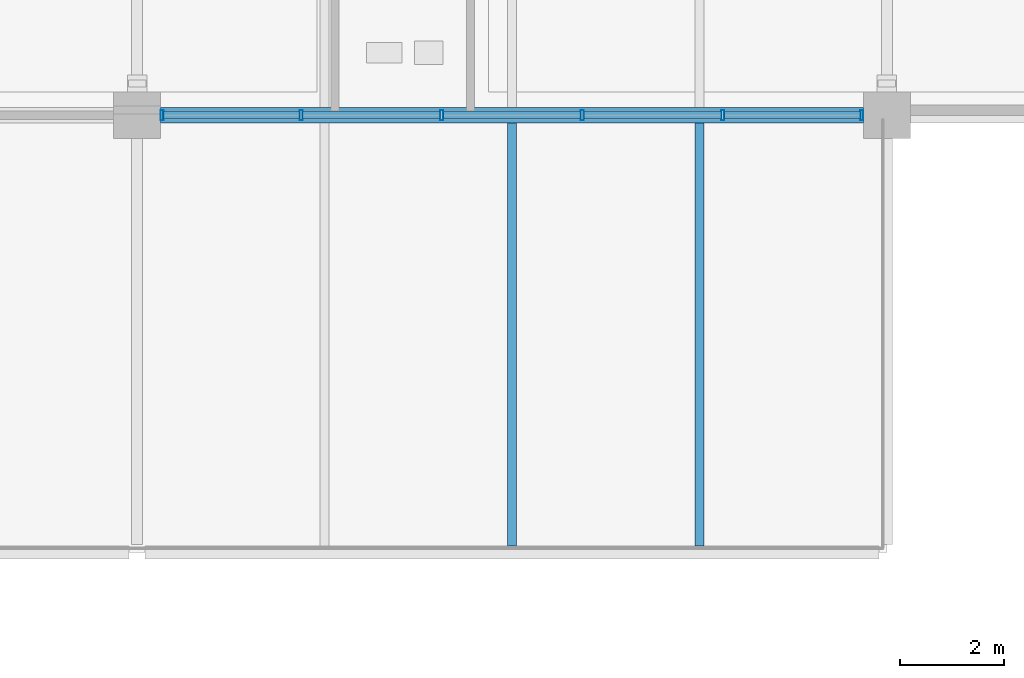
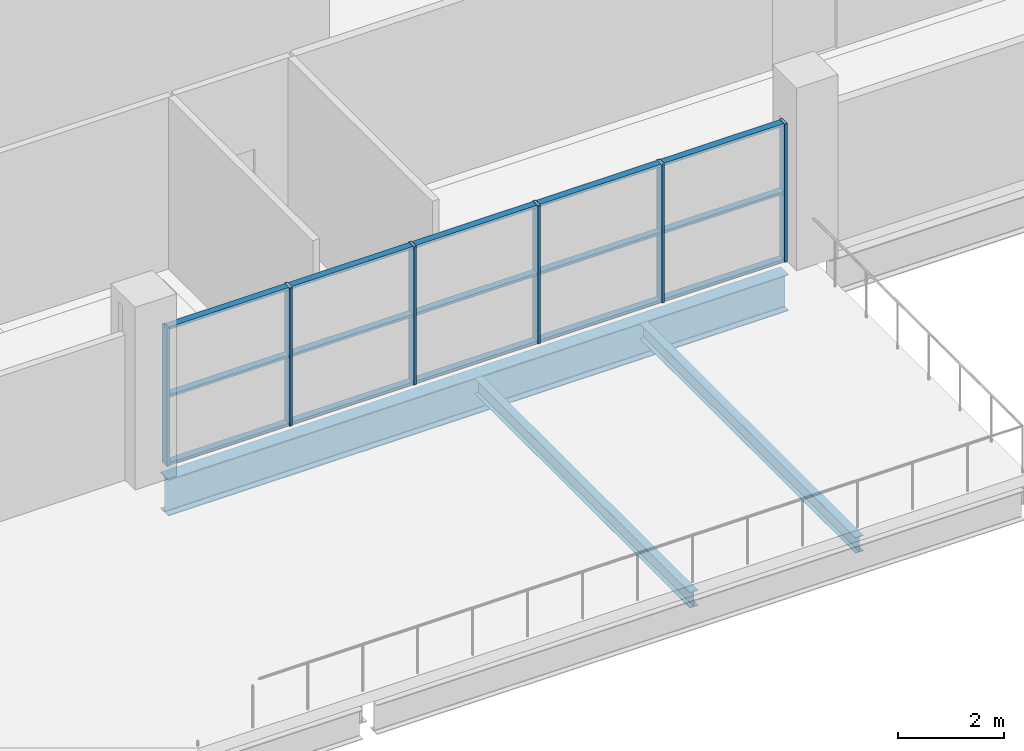
# One storey, part 46 of 93: 21 members, 3 beams, 1 element without a shape of its own.
"""IFC4 building model written with IfcOpenShell, lengths in metres."""

from ifc_helpers import new_model, si_unit, direction, frame, origin, origin_2d, place, context, subcontext, project, spatial, hollow_rectangle, i_section, extrude, material, material_profile, profile_set, type_object, element, aggregate, save


model = new_model("IFC4")

# Units and contexts
model_context = context("Model", 3, precision=1e-05, world=origin(), true_north=direction((0.0, 1.0)))
body_context = subcontext(model_context, "Body", "Model", "MODEL_VIEW")
ifc_project = project(units=[si_unit("LENGTHUNIT", "METRE"), si_unit("AREAUNIT", "SQUARE_METRE"), si_unit("VOLUMEUNIT", "CUBIC_METRE"), si_unit("PLANEANGLEUNIT", "RADIAN"), si_unit("MASSUNIT", "GRAM", prefix="KILO"), si_unit("THERMODYNAMICTEMPERATUREUNIT", "KELVIN")], contexts=[model_context])

# Site, building, storey
site_placement = place(None, origin())
site = spatial("IfcSite", under=ifc_project, at=site_placement, CompositionType="ELEMENT")
building_placement = place(site_placement, origin())
building = spatial("IfcBuilding", under=site, at=building_placement, Name="Nduvali Passage Aquatics Centre", CompositionType="ELEMENT")
storey_placement = place(building_placement, frame((0.0, 0.0, 9.0)))
storey = spatial("IfcBuildingStorey", under=building, at=storey_placement, Name="L02", CompositionType="ELEMENT", Elevation=9.0)

# Curtain wall, members
ifc_material_1 = material(Name="Aluminium EN AW-6063 T6", Category="aluminium")
curtain_wall_type = type_object("IfcCurtainWallType", Name="ENV-CW-CLER", PredefinedType="NOTDEFINED", material=ifc_material_1)
curtain_wall_placement = place(storey_placement, origin())
curtain_wall = element("IfcCurtainWall", 1, at=curtain_wall_placement, inside=storey, type_object=curtain_wall_type, Name="L02 North Pool Hall Pool Overlook CW 066", PredefinedType="NOTDEFINED")
ifc_material_profile_1 = material_profile(ifc_material_1, hollow_rectangle(XDim=0.06005859375, YDim=0.199951171875, WallThickness=0.00390625, at=origin_2d()), Name="ALU MULLION 60x200x4")
ifc_profile_set_1 = profile_set([ifc_material_profile_1], Name="Aluminium EN AW-6063 T6")
member_type_1 = type_object("IfcMemberType", Name="ENV-MEM-MUL80", PredefinedType="MULLION", material=ifc_profile_set_1)
member_1_placement = place(storey_placement, frame((97.679931640625, 92.39990234375, 0.0), z_axis=(0.0, 0.0, 1.0), x_axis=(1.0, 0.0, 0.0)))
member_1 = element("IfcMember", 2, at=member_1_placement, type_object=member_type_1, Name="North Pool Hall Pool Overlook CW Mullion 1", PredefinedType="MULLION", context=body_context, shape_type="SweptSolid", body=[
    extrude(hollow_rectangle(XDim=0.06005859375, YDim=0.199951171875, WallThickness=0.00390625, at=origin_2d()), origin(), (0.0, 0.0, 1.0), 3.183837890625),
])
member_2_placement = place(storey_placement, frame((100.35009765625, 92.39990234375, 0.0), z_axis=(0.0, 0.0, 1.0), x_axis=(1.0, 0.0, 0.0)))
member_2 = element("IfcMember", 3, at=member_2_placement, type_object=member_type_1, Name="North Pool Hall Pool Overlook CW Mullion 2", PredefinedType="MULLION", context=body_context, shape_type="SweptSolid", body=[
    extrude(hollow_rectangle(XDim=0.06005859375, YDim=0.199951171875, WallThickness=0.00390625, at=origin_2d()), origin(), (0.0, 0.0, 1.0), 3.183837890625),
])
member_3_placement = place(storey_placement, frame((103.050048828125, 92.39990234375, 0.0), z_axis=(0.0, 0.0, 1.0), x_axis=(1.0, 0.0, 0.0)))
member_3 = element("IfcMember", 4, at=member_3_placement, type_object=member_type_1, Name="North Pool Hall Pool Overlook CW Mullion 3", PredefinedType="MULLION", context=body_context, shape_type="SweptSolid", body=[
    extrude(hollow_rectangle(XDim=0.06005859375, YDim=0.199951171875, WallThickness=0.00390625, at=origin_2d()), origin(), (0.0, 0.0, 1.0), 3.183837890625),
])
member_4_placement = place(storey_placement, frame((105.75, 92.39990234375, 0.0), z_axis=(0.0, 0.0, 1.0), x_axis=(1.0, 0.0, 0.0)))
member_4 = element("IfcMember", 5, at=member_4_placement, type_object=member_type_1, Name="North Pool Hall Pool Overlook CW Mullion 4", PredefinedType="MULLION", context=body_context, shape_type="SweptSolid", body=[
    extrude(hollow_rectangle(XDim=0.06005859375, YDim=0.199951171875, WallThickness=0.00390625, at=origin_2d()), origin(), (0.0, 0.0, 1.0), 3.183837890625),
])
member_5_placement = place(storey_placement, frame((108.449951171875, 92.39990234375, 0.0), z_axis=(0.0, 0.0, 1.0), x_axis=(1.0, 0.0, 0.0)))
member_5 = element("IfcMember", 6, at=member_5_placement, type_object=member_type_1, Name="North Pool Hall Pool Overlook CW Mullion 5", PredefinedType="MULLION", context=body_context, shape_type="SweptSolid", body=[
    extrude(hollow_rectangle(XDim=0.06005859375, YDim=0.199951171875, WallThickness=0.00390625, at=origin_2d()), origin(), (0.0, 0.0, 1.0), 3.183837890625),
])
member_6_placement = place(storey_placement, frame((111.1201171875, 92.39990234375, 0.0), z_axis=(0.0, 0.0, 1.0), x_axis=(1.0, 0.0, 0.0)))
member_6 = element("IfcMember", 7, at=member_6_placement, type_object=member_type_1, Name="North Pool Hall Pool Overlook CW Mullion 6", PredefinedType="MULLION", context=body_context, shape_type="SweptSolid", body=[
    extrude(hollow_rectangle(XDim=0.06005859375, YDim=0.199951171875, WallThickness=0.00390625, at=origin_2d()), origin(), (0.0, 0.0, 1.0), 3.183837890625),
])
ifc_material_profile_2 = material_profile(ifc_material_1, hollow_rectangle(XDim=0.14990234375, YDim=0.06005859375, WallThickness=0.00390625, at=origin_2d()), Name="ALU TRANSOM 150x60x4")
ifc_profile_set_2 = profile_set([ifc_material_profile_2], Name="Aluminium EN AW-6063 T6")
member_type_2 = type_object("IfcMemberType", Name="ENV-MEM-TRN80", PredefinedType="USERDEFINED", material=ifc_profile_set_2)
member_7_placement = place(storey_placement, frame((97.7099609375, 92.39990234375, 0.030029296875), z_axis=(1.0, 0.0, 0.0), x_axis=(0.0, 1.0, 0.0)))
member_7 = element("IfcMember", 8, at=member_7_placement, type_object=member_type_2, Name="North Pool Hall Pool Overlook CW Transom B1-R0", ObjectType="TRANSOM", PredefinedType="USERDEFINED", context=body_context, shape_type="SweptSolid", body=[
    extrude(hollow_rectangle(XDim=0.14990234375, YDim=0.06005859375, WallThickness=0.00390625, at=origin_2d()), origin(), (0.0, 0.0, 1.0), 2.610107421875),
])
member_8_placement = place(storey_placement, frame((97.7099609375, 92.39990234375, 1.591796875), z_axis=(1.0, 0.0, 0.0), x_axis=(0.0, 1.0, 0.0)))
member_8 = element("IfcMember", 9, at=member_8_placement, type_object=member_type_2, Name="North Pool Hall Pool Overlook CW Transom B1-R1", ObjectType="TRANSOM", PredefinedType="USERDEFINED", context=body_context, shape_type="SweptSolid", body=[
    extrude(hollow_rectangle(XDim=0.14990234375, YDim=0.06005859375, WallThickness=0.00390625, at=origin_2d()), origin(), (0.0, 0.0, 1.0), 2.610107421875),
])
member_9_placement = place(storey_placement, frame((97.7099609375, 92.39990234375, 3.15380859375), z_axis=(1.0, 0.0, 0.0), x_axis=(0.0, 1.0, 0.0)))
member_9 = element("IfcMember", 10, at=member_9_placement, type_object=member_type_2, Name="North Pool Hall Pool Overlook CW Transom B1-R2", ObjectType="TRANSOM", PredefinedType="USERDEFINED", context=body_context, shape_type="SweptSolid", body=[
    extrude(hollow_rectangle(XDim=0.14990234375, YDim=0.06005859375, WallThickness=0.00390625, at=origin_2d()), origin(), (0.0, 0.0, 1.0), 2.610107421875),
])
member_10_placement = place(storey_placement, frame((100.3798828125, 92.39990234375, 0.030029296875), z_axis=(1.0, 0.0, 0.0), x_axis=(0.0, 1.0, 0.0)))
member_10 = element("IfcMember", 11, at=member_10_placement, type_object=member_type_2, Name="North Pool Hall Pool Overlook CW Transom B2-R0", ObjectType="TRANSOM", PredefinedType="USERDEFINED", context=body_context, shape_type="SweptSolid", body=[
    extrude(hollow_rectangle(XDim=0.14990234375, YDim=0.06005859375, WallThickness=0.00390625, at=origin_2d()), origin(), (0.0, 0.0, 1.0), 2.64013671875),
])
member_11_placement = place(storey_placement, frame((100.3798828125, 92.39990234375, 1.591796875), z_axis=(1.0, 0.0, 0.0), x_axis=(0.0, 1.0, 0.0)))
member_11 = element("IfcMember", 12, at=member_11_placement, type_object=member_type_2, Name="North Pool Hall Pool Overlook CW Transom B2-R1", ObjectType="TRANSOM", PredefinedType="USERDEFINED", context=body_context, shape_type="SweptSolid", body=[
    extrude(hollow_rectangle(XDim=0.14990234375, YDim=0.06005859375, WallThickness=0.00390625, at=origin_2d()), origin(), (0.0, 0.0, 1.0), 2.64013671875),
])
member_12_placement = place(storey_placement, frame((100.3798828125, 92.39990234375, 3.15380859375), z_axis=(1.0, 0.0, 0.0), x_axis=(0.0, 1.0, 0.0)))
member_12 = element("IfcMember", 13, at=member_12_placement, type_object=member_type_2, Name="North Pool Hall Pool Overlook CW Transom B2-R2", ObjectType="TRANSOM", PredefinedType="USERDEFINED", context=body_context, shape_type="SweptSolid", body=[
    extrude(hollow_rectangle(XDim=0.14990234375, YDim=0.06005859375, WallThickness=0.00390625, at=origin_2d()), origin(), (0.0, 0.0, 1.0), 2.64013671875),
])
member_13_placement = place(storey_placement, frame((103.080078125, 92.39990234375, 0.030029296875), z_axis=(1.0, 0.0, 0.0), x_axis=(0.0, 1.0, 0.0)))
member_13 = element("IfcMember", 14, at=member_13_placement, type_object=member_type_2, Name="North Pool Hall Pool Overlook CW Transom B3-R0", ObjectType="TRANSOM", PredefinedType="USERDEFINED", context=body_context, shape_type="SweptSolid", body=[
    extrude(hollow_rectangle(XDim=0.14990234375, YDim=0.06005859375, WallThickness=0.00390625, at=origin_2d()), origin(), (0.0, 0.0, 1.0), 2.639892578125),
])
member_14_placement = place(storey_placement, frame((103.080078125, 92.39990234375, 1.591796875), z_axis=(1.0, 0.0, 0.0), x_axis=(0.0, 1.0, 0.0)))
member_14 = element("IfcMember", 15, at=member_14_placement, type_object=member_type_2, Name="North Pool Hall Pool Overlook CW Transom B3-R1", ObjectType="TRANSOM", PredefinedType="USERDEFINED", context=body_context, shape_type="SweptSolid", body=[
    extrude(hollow_rectangle(XDim=0.14990234375, YDim=0.06005859375, WallThickness=0.00390625, at=origin_2d()), origin(), (0.0, 0.0, 1.0), 2.639892578125),
])
member_15_placement = place(storey_placement, frame((103.080078125, 92.39990234375, 3.15380859375), z_axis=(1.0, 0.0, 0.0), x_axis=(0.0, 1.0, 0.0)))
member_15 = element("IfcMember", 16, at=member_15_placement, type_object=member_type_2, Name="North Pool Hall Pool Overlook CW Transom B3-R2", ObjectType="TRANSOM", PredefinedType="USERDEFINED", context=body_context, shape_type="SweptSolid", body=[
    extrude(hollow_rectangle(XDim=0.14990234375, YDim=0.06005859375, WallThickness=0.00390625, at=origin_2d()), origin(), (0.0, 0.0, 1.0), 2.639892578125),
])
member_16_placement = place(storey_placement, frame((105.780029296875, 92.39990234375, 0.030029296875), z_axis=(1.0, 0.0, 0.0), x_axis=(0.0, 1.0, 0.0)))
member_16 = element("IfcMember", 17, at=member_16_placement, type_object=member_type_2, Name="North Pool Hall Pool Overlook CW Transom B4-R0", ObjectType="TRANSOM", PredefinedType="USERDEFINED", context=body_context, shape_type="SweptSolid", body=[
    extrude(hollow_rectangle(XDim=0.14990234375, YDim=0.06005859375, WallThickness=0.00390625, at=origin_2d()), origin(), (0.0, 0.0, 1.0), 2.639892578125),
])
member_17_placement = place(storey_placement, frame((105.780029296875, 92.39990234375, 1.591796875), z_axis=(1.0, 0.0, 0.0), x_axis=(0.0, 1.0, 0.0)))
member_17 = element("IfcMember", 18, at=member_17_placement, type_object=member_type_2, Name="North Pool Hall Pool Overlook CW Transom B4-R1", ObjectType="TRANSOM", PredefinedType="USERDEFINED", context=body_context, shape_type="SweptSolid", body=[
    extrude(hollow_rectangle(XDim=0.14990234375, YDim=0.06005859375, WallThickness=0.00390625, at=origin_2d()), origin(), (0.0, 0.0, 1.0), 2.639892578125),
])
member_18_placement = place(storey_placement, frame((105.780029296875, 92.39990234375, 3.15380859375), z_axis=(1.0, 0.0, 0.0), x_axis=(0.0, 1.0, 0.0)))
member_18 = element("IfcMember", 19, at=member_18_placement, type_object=member_type_2, Name="North Pool Hall Pool Overlook CW Transom B4-R2", ObjectType="TRANSOM", PredefinedType="USERDEFINED", context=body_context, shape_type="SweptSolid", body=[
    extrude(hollow_rectangle(XDim=0.14990234375, YDim=0.06005859375, WallThickness=0.00390625, at=origin_2d()), origin(), (0.0, 0.0, 1.0), 2.639892578125),
])
member_19_placement = place(storey_placement, frame((108.47998046875, 92.39990234375, 0.030029296875), z_axis=(1.0, 0.0, 0.0), x_axis=(0.0, 1.0, 0.0)))
member_19 = element("IfcMember", 20, at=member_19_placement, type_object=member_type_2, Name="North Pool Hall Pool Overlook CW Transom B5-R0", ObjectType="TRANSOM", PredefinedType="USERDEFINED", context=body_context, shape_type="SweptSolid", body=[
    extrude(hollow_rectangle(XDim=0.14990234375, YDim=0.06005859375, WallThickness=0.00390625, at=origin_2d()), origin(), (0.0, 0.0, 1.0), 2.610107421875),
])
member_20_placement = place(storey_placement, frame((108.47998046875, 92.39990234375, 1.591796875), z_axis=(1.0, 0.0, 0.0), x_axis=(0.0, 1.0, 0.0)))
member_20 = element("IfcMember", 21, at=member_20_placement, type_object=member_type_2, Name="North Pool Hall Pool Overlook CW Transom B5-R1", ObjectType="TRANSOM", PredefinedType="USERDEFINED", context=body_context, shape_type="SweptSolid", body=[
    extrude(hollow_rectangle(XDim=0.14990234375, YDim=0.06005859375, WallThickness=0.00390625, at=origin_2d()), origin(), (0.0, 0.0, 1.0), 2.610107421875),
])
member_21_placement = place(storey_placement, frame((108.47998046875, 92.39990234375, 3.15380859375), z_axis=(1.0, 0.0, 0.0), x_axis=(0.0, 1.0, 0.0)))
member_21 = element("IfcMember", 22, at=member_21_placement, type_object=member_type_2, Name="North Pool Hall Pool Overlook CW Transom B5-R2", ObjectType="TRANSOM", PredefinedType="USERDEFINED", context=body_context, shape_type="SweptSolid", body=[
    extrude(hollow_rectangle(XDim=0.14990234375, YDim=0.06005859375, WallThickness=0.00390625, at=origin_2d()), origin(), (0.0, 0.0, 1.0), 2.610107421875),
])
aggregate(curtain_wall, [member_1, member_2, member_3, member_4, member_5, member_6, member_7, member_8, member_9, member_10, member_11, member_12, member_13, member_14, member_15, member_16, member_17, member_18, member_19, member_20, member_21])

# Beams
ifc_material_2 = material(Name="Steel S355", Category="steel")
ifc_material_profile_3 = material_profile(ifc_material_2, i_section(OverallWidth=0.29248046875, OverallDepth=0.8408203125, WebThickness=0.0146484375, FlangeThickness=0.021728515625, FilletRadius=0.017822265625, at=origin_2d()), Name="UKB 838x292x194")
ifc_profile_set_3 = profile_set([ifc_material_profile_3], Name="Steel S355")
beam_type_1 = type_object("IfcBeamType", Name="STR-BM-UKB838-EXT", PredefinedType="BEAM", material=ifc_profile_set_3)
beam_placement = place(storey_placement, frame((97.64990234375, 92.39990234375, -0.684326171875), z_axis=(1.0, 0.0, 0.0), x_axis=(0.0, 1.0, 0.0)))
element("IfcBeam", 23, at=beam_placement, inside=storey, type_object=beam_type_1, Name="L02 Primary X-Girder B4BE-0927", PredefinedType="BEAM", context=body_context, shape_type="SweptSolid", body=[
    extrude(i_section(OverallWidth=0.29248046875, OverallDepth=0.8408203125, WebThickness=0.0146484375, FlangeThickness=0.021728515625, FilletRadius=0.017822265625, at=origin_2d()), origin(), (0.0, 0.0, 1.0), 13.5),
])
ifc_material_profile_4 = material_profile(ifc_material_2, i_section(OverallWidth=0.172119140625, OverallDepth=0.35791015625, WebThickness=0.008056640625, FlangeThickness=0.012939453125, FilletRadius=0.01025390625, at=origin_2d()), Name="UKB 356x171x57")
ifc_profile_set_4 = profile_set([ifc_material_profile_4], Name="Steel S355")
beam_type_2 = type_object("IfcBeamType", Name="STR-JST-UKB356", PredefinedType="JOIST", material=ifc_profile_set_4)
for number, where, z_axis, x_axis, name in (
    (24, (104.39990234375, 84.126708984375, -0.443115234375), (0.0, 1.0, 0.0), (-1.0, 0.0, 0.0), "L02 Secondary Joist J2-1150"),
    (25, (108.0, 84.126708984375, -0.443115234375), (0.0, 1.0, 0.0), (-1.0, 0.0, 0.0), "L02 Secondary Joist J2-1151"),
):
    element("IfcBeam", number, at=place(storey_placement, frame(where, z_axis=z_axis, x_axis=x_axis)), inside=storey, type_object=beam_type_2, Name=name, PredefinedType="JOIST", context=body_context, shape_type="SweptSolid", body=[
        extrude(i_section(OverallWidth=0.172119140625, OverallDepth=0.35791015625, WebThickness=0.008056640625, FlangeThickness=0.012939453125, FilletRadius=0.01025390625, at=origin_2d()), origin(), (0.0, 0.0, 1.0), 8.127197265625),
    ])

save(model, "model.ifc")
